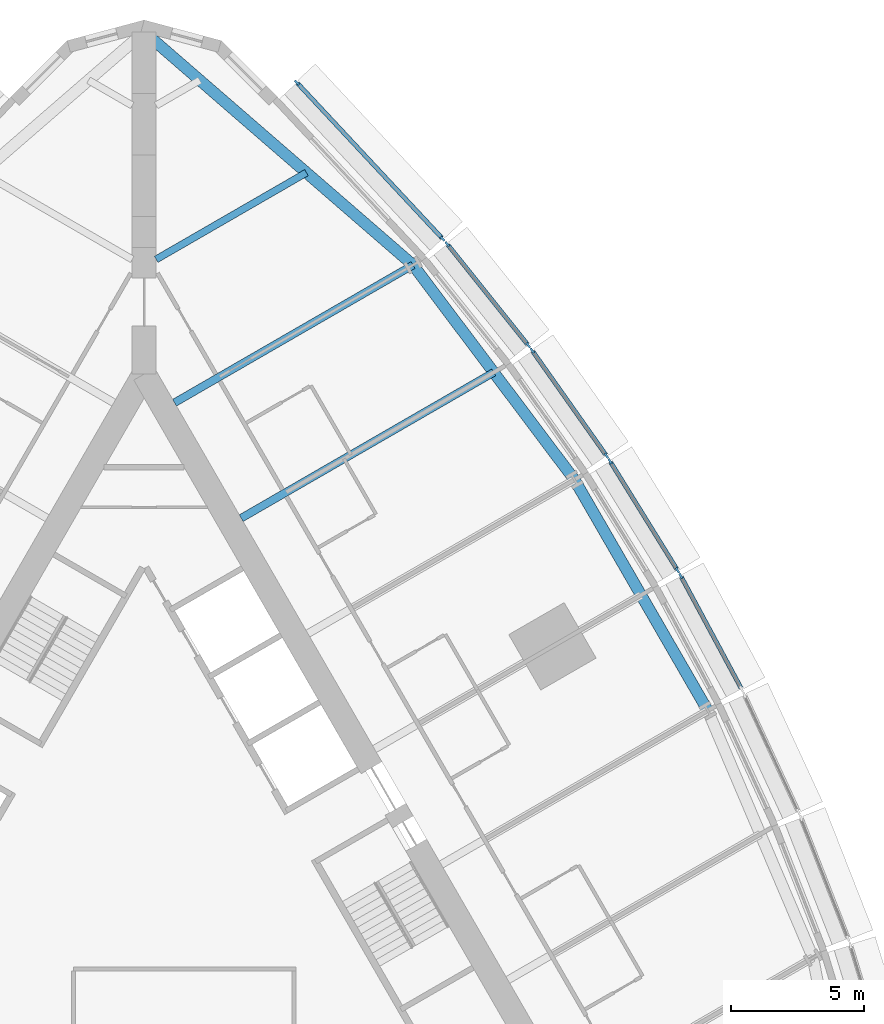
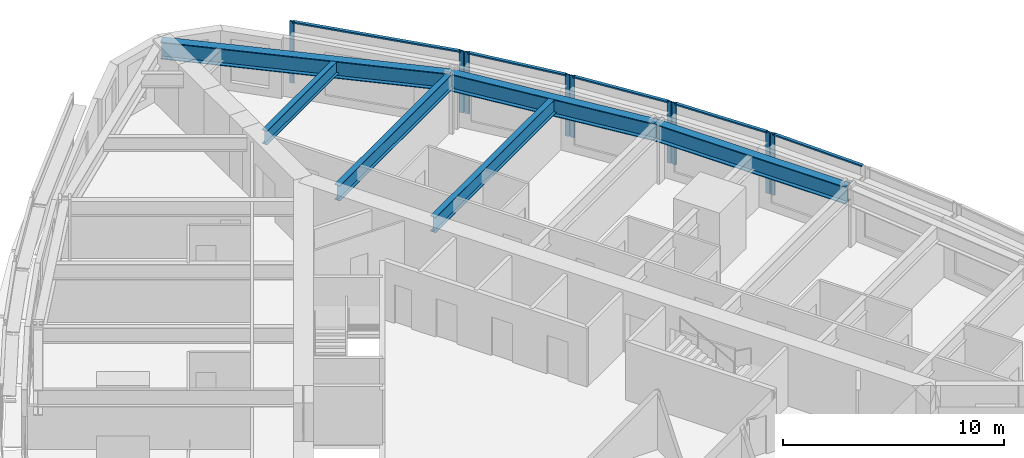
# One storey, part 5 of 14: 14 members, 6 beams, 5 elements without a shape of their own.
"""IFC4 building model written with IfcOpenShell, lengths in metres."""

import ifcopenshell
import ifcopenshell.guid

model = None  # the IFC model being written
_history = None  # IfcOwnerHistory: only IFC2X3 demands one
_inside = {}  # id of a spatial element -> (the spatial element, [elements in it])
_under = {}  # id of a project, library or spatial element -> (it, [spatial elements below it])
_declared = {}  # id of a project -> (the project, [libraries it declares])
_typed = {}  # id of a type object -> (the type object, [elements of that type])
_made_of = {}  # id of a material, layer set ... -> (it, [elements and type objects made of it])


def new_model(schema):
    """Start an empty IFC model of exactly this schema.

    Asked for "IFC4X3", IfcOpenShell would pick the latest addendum, in which some entities
    have other attributes; the version numbers below select the first issue.
    IFC2X3 requires an IfcOwnerHistory on every rooted entity: one is made here for all.
    """
    global model, _history
    if schema == "IFC4X3":
        model = ifcopenshell.file(schema_version=(4, 3, 0, 0))
    else:
        model = ifcopenshell.file(schema=schema)
    _inside.clear()
    _under.clear()
    _declared.clear()
    _typed.clear()
    _made_of.clear()
    _history = None
    if model.schema == "IFC2X3":
        org = make("IfcOrganization", Name="unknown")
        user = make(
            "IfcPersonAndOrganization",
            ThePerson=make("IfcPerson", FamilyName="unknown"),
            TheOrganization=org,
        )
        app = make(
            "IfcApplication",
            ApplicationDeveloper=org,
            Version="unknown",
            ApplicationFullName="unknown",
            ApplicationIdentifier="unknown",
        )
        _history = make(
            "IfcOwnerHistory",
            OwningUser=user,
            OwningApplication=app,
            ChangeAction="ADDED",
            CreationDate=0,
        )
    return model


def make(cls, **values):
    """One entity of the class cls with the attributes given. An attribute that is None is left unset."""
    return model.create_entity(
        cls, **{name: value for name, value in values.items() if value is not None}
    )


def rooted(cls, **values):
    """An entity with a GlobalId (a new one), such as an element, a storey or a relation."""
    return make(cls, GlobalId=ifcopenshell.guid.new(), OwnerHistory=_history, **values)


def si_unit(unit_type, name, prefix=None):
    """IfcSIUnit, for example si_unit("LENGTHUNIT", "METRE", prefix="MILLI")."""
    return make("IfcSIUnit", UnitType=unit_type, Prefix=prefix, Name=name)


def assignment(units):
    """IfcUnitAssignment: the units of a project."""
    return None if units is None else make("IfcUnitAssignment", Units=units)


def point(xyz):
    """IfcCartesianPoint."""
    return None if xyz is None else make("IfcCartesianPoint", Coordinates=xyz)


def direction(xyz):
    """IfcDirection."""
    return None if xyz is None else make("IfcDirection", DirectionRatios=xyz)


def frame(location, z_axis=None, x_axis=None):
    """IfcAxis2Placement3D, a coordinate frame: its origin and axes. An axis left out is left unset."""
    return make(
        "IfcAxis2Placement3D",
        Location=point(location),
        Axis=direction(z_axis),
        RefDirection=direction(x_axis),
    )


def frame_2d(location, x_axis=None):
    """IfcAxis2Placement2D, a coordinate frame in the plane: its origin and x axis."""
    return make(
        "IfcAxis2Placement2D", Location=point(location), RefDirection=direction(x_axis)
    )


def origin():
    """The frame at (0, 0, 0) with its axes left unset."""
    return frame((0.0, 0.0, 0.0))


def origin_2d():
    """The frame at (0, 0) in the plane with its x axis left unset."""
    return frame_2d((0.0, 0.0))


def place(relative_to, where):
    """IfcLocalPlacement: puts the frame where relative to a parent placement (None: the world)."""
    return make(
        "IfcLocalPlacement", PlacementRelTo=relative_to, RelativePlacement=where
    )


def context(
    kind, dimensions, precision=None, world=None, true_north=None, identifier=None
):
    """IfcGeometricRepresentationContext, for example the 3D "Model" context."""
    return make(
        "IfcGeometricRepresentationContext",
        ContextIdentifier=identifier,
        ContextType=kind,
        CoordinateSpaceDimension=dimensions,
        Precision=precision,
        WorldCoordinateSystem=world,
        TrueNorth=true_north,
    )


def subcontext(parent, identifier, kind, view, scale=None):
    """IfcGeometricRepresentationSubContext, for example "Body" below "Model"."""
    return make(
        "IfcGeometricRepresentationSubContext",
        ContextIdentifier=identifier,
        ContextType=kind,
        ParentContext=parent,
        TargetScale=scale,
        TargetView=view,
    )


def project(units=None, contexts=None):
    """IfcProject with its units and contexts."""
    return rooted(
        "IfcProject",
        Name="project",
        RepresentationContexts=contexts,
        UnitsInContext=assignment(units),
    )


def spatial(cls, under=None, at=None, **own):
    """A site, building, storey or space (cls), placed at a placement, below another one or the project."""
    s = rooted(cls, ObjectPlacement=at, **own)
    if under is not None:
        _under.setdefault(under.id(), (under, []))[1].append(s)
    return s


def profile(cls, at=None, kind="AREA", **sizes):
    """A parametric profile (cls). Its sizes go by their IFC names, for example OverallWidth=200.0."""
    return make(cls, ProfileType=kind, Position=at, **sizes)


def rectangle(**sizes):
    """IfcRectangleProfileDef."""
    return profile("IfcRectangleProfileDef", **sizes)


def i_section(**sizes):
    """IfcIShapeProfileDef."""
    return profile("IfcIShapeProfileDef", **sizes)


def extrude(swept, where, along, depth):
    """IfcExtrudedAreaSolid: the profile swept, set in the frame where, extruded along a direction by depth."""
    return make(
        "IfcExtrudedAreaSolid",
        SweptArea=swept,
        Position=where,
        ExtrudedDirection=direction(along),
        Depth=depth,
    )


def shape(context_of_items, identifier, shape_type, items):
    """IfcShapeRepresentation: the items that make up one representation, for example the "Body"."""
    return make(
        "IfcShapeRepresentation",
        ContextOfItems=context_of_items,
        RepresentationIdentifier=identifier,
        RepresentationType=shape_type,
        Items=items,
    )


def material(Name=None, Category=None):
    """IfcMaterial."""
    return make("IfcMaterial", Name=Name, Category=Category)


def material_profile(
    of_material, cross_section, Name=None, Category=None, Priority=None
):
    """IfcMaterialProfile: a cross section and its material."""
    return make(
        "IfcMaterialProfile",
        Name=Name,
        Material=of_material,
        Profile=cross_section,
        Priority=Priority,
        Category=Category,
    )


def profile_set(profiles, Name=None, composite=None):
    """IfcMaterialProfileSet."""
    return make(
        "IfcMaterialProfileSet",
        Name=Name,
        MaterialProfiles=profiles,
        CompositeProfile=composite,
    )


def made_of(thing, what):
    """Note that an element or type object is made of a material, layer set ...; save() writes the relation."""
    if what is not None:
        _made_of.setdefault(what.id(), (what, []))[1].append(thing)
    return thing


def type_object(cls, material=None, **own):
    """A type object (cls), such as IfcWallType, which elements share."""
    return made_of(rooted(cls, **own), material)


def element(
    cls,
    number,
    at=None,
    inside=None,
    cuts=None,
    type_object=None,
    material=None,
    context=None,
    identifier="Body",
    shape_type=None,
    held_by="IfcProductDefinitionShape",
    body=None,
    shapes=None,
    **own,
):
    """One element of the class cls, such as IfcWall. Its Tag is "e" and its number.

    at: its placement. inside: the storey or other place that contains it. cuts: it is an
    opening in that element (IfcRelVoidsElement). A single representation is given by context,
    identifier, shape_type and body (its items); several are given by shapes. held_by: the class
    of the entity that holds the representations. save() writes the other relations.
    """
    e = rooted(cls, Tag="e%d" % number, ObjectPlacement=at, **own)
    if body is not None:
        shapes = [shape(context, identifier, shape_type, body)]
    if shapes is not None:
        e.Representation = make(held_by, Representations=shapes)
    if inside is not None:
        _inside.setdefault(inside.id(), (inside, []))[1].append(e)
    if cuts is not None:
        rooted(
            "IfcRelVoidsElement", RelatingBuildingElement=cuts, RelatedOpeningElement=e
        )
    if type_object is not None:
        _typed.setdefault(type_object.id(), (type_object, []))[1].append(e)
    return made_of(e, material)


def aggregate(whole, parts):
    """IfcRelAggregates: a whole, such as a stair, and the parts it consists of."""
    return rooted("IfcRelAggregates", RelatingObject=whole, RelatedObjects=parts)


def save(model, path):
    """Write the relations noted so far, then the file.

    IfcRelAggregates (storeys below a building ...), IfcRelContainedInSpatialStructure (elements
    in a storey), IfcRelDefinesByType, IfcRelAssociatesMaterial and IfcRelDeclares: one each for
    every whole, place, type object, material and project.
    """
    for whole, parts in _under.values():
        aggregate(whole, parts)
    for where, things in _inside.values():
        rooted(
            "IfcRelContainedInSpatialStructure",
            RelatedElements=things,
            RelatingStructure=where,
        )
    for kind, things in _typed.values():
        rooted("IfcRelDefinesByType", RelatedObjects=things, RelatingType=kind)
    for what, things in _made_of.values():
        rooted("IfcRelAssociatesMaterial", RelatedObjects=things, RelatingMaterial=what)
    for by, libraries in _declared.values():
        rooted("IfcRelDeclares", RelatingContext=by, RelatedDefinitions=libraries)
    model.write(path)


model = new_model("IFC4")

# Units and contexts
model_context = context("Model", 3, precision=1e-05, world=origin(), true_north=direction((0.0, 1.0)))
body_context = subcontext(model_context, "Body", "Model", "MODEL_VIEW")
ifc_project = project(units=[si_unit("LENGTHUNIT", "METRE"), si_unit("AREAUNIT", "SQUARE_METRE"), si_unit("VOLUMEUNIT", "CUBIC_METRE"), si_unit("PLANEANGLEUNIT", "RADIAN"), si_unit("MASSUNIT", "GRAM", prefix="KILO")], contexts=[model_context])

# Site, building, storey
site_placement = place(None, origin())
site = spatial("IfcSite", under=ifc_project, at=site_placement, CompositionType="ELEMENT")
building_placement = place(site_placement, origin())
building = spatial("IfcBuilding", under=site, at=building_placement, Name="Trikona Tower", CompositionType="ELEMENT")
storey_placement = place(building_placement, frame((0.0, 0.0, 31.89990234375)))
storey = spatial("IfcBuildingStorey", under=building, at=storey_placement, Name="L06", CompositionType="ELEMENT", Elevation=31.89990234375)

# Curtain wall, member
ifc_material_1 = material(Name="Aluminium curtain wall system", Category="aluminium")
curtain_wall_type = type_object("IfcCurtainWallType", Name="Curtain wall DS1", PredefinedType="NOTDEFINED", material=ifc_material_1)
curtain_wall_1_placement = place(storey_placement, origin())
curtain_wall_1 = element("IfcCurtainWall", 1, at=curtain_wall_1_placement, inside=storey, type_object=curtain_wall_type, Name="Curtain wall DS1 L06", PredefinedType="NOTDEFINED")
ifc_material_2 = material(Name="Aluminium mullion, pale anodised", Category="aluminium")
ifc_material_profile_1 = material_profile(ifc_material_2, rectangle(XDim=0.080078125, YDim=0.219970703125, at=origin_2d()), Name="MUL-DS1")
ifc_profile_set_1 = profile_set([ifc_material_profile_1], Name="Aluminium mullion, pale anodised")
member_type_1 = type_object("IfcMemberType", Name="Mullion DS1 80x220", PredefinedType="MULLION", material=ifc_profile_set_1)
member_1_placement = place(storey_placement, frame((20.128662109375, 11.474365234375, 0.0), z_axis=(0.0, 0.0, 1.0), x_axis=(-0.880843080975, -0.473408350896, 0.0)))
member_1 = element("IfcMember", 2, at=member_1_placement, type_object=member_type_1, Name="CW-DS1 mullion 2", PredefinedType="MULLION", context=body_context, shape_type="SweptSolid", body=[
    extrude(rectangle(XDim=0.080078125, YDim=0.219970703125, at=origin_2d()), origin(), (0.0, 0.0, 1.0), 3.400146484375),
])

# Curtain wall, members
curtain_wall_2_placement = place(storey_placement, origin())
curtain_wall_2 = element("IfcCurtainWall", 3, at=curtain_wall_2_placement, inside=storey, type_object=curtain_wall_type, Name="Curtain wall DS1 L06", PredefinedType="NOTDEFINED")
member_2_placement = place(storey_placement, frame((20.00146484375, 11.69482421875, 0.0), z_axis=(0.0, 0.0, 1.0), x_axis=(-0.850410468941, -0.526119790842, 0.0)))
member_2 = element("IfcMember", 4, at=member_2_placement, type_object=member_type_1, Name="CW-DS1 mullion 1", PredefinedType="MULLION", context=body_context, shape_type="SweptSolid", body=[
    extrude(rectangle(XDim=0.080078125, YDim=0.219970703125, at=origin_2d()), origin(), (0.0, 0.0, 1.0), 3.400146484375),
])
member_3_placement = place(storey_placement, frame((17.474853515625, 15.77880859375, 0.0), z_axis=(0.0, 0.0, 1.0), x_axis=(-0.850410468941, -0.526119790842, 0.0)))
member_3 = element("IfcMember", 5, at=member_3_placement, type_object=member_type_1, Name="CW-DS1 mullion 2", PredefinedType="MULLION", context=body_context, shape_type="SweptSolid", body=[
    extrude(rectangle(XDim=0.080078125, YDim=0.219970703125, at=origin_2d()), origin(), (0.0, 0.0, 1.0), 3.400146484375),
])

curtain_wall_3_placement = place(storey_placement, origin())
curtain_wall_3 = element("IfcCurtainWall", 6, at=curtain_wall_3_placement, inside=storey, type_object=curtain_wall_type, Name="Curtain wall DS1 L06", PredefinedType="NOTDEFINED")
member_4_placement = place(storey_placement, frame((17.33447265625, 15.990966796875, 0.0), z_axis=(0.0, 0.0, 1.0), x_axis=(-0.816985393055, -0.576658362928, 0.0)))
member_4 = element("IfcMember", 7, at=member_4_placement, type_object=member_type_1, Name="CW-DS1 mullion 1", PredefinedType="MULLION", context=body_context, shape_type="SweptSolid", body=[
    extrude(rectangle(XDim=0.080078125, YDim=0.219970703125, at=origin_2d()), origin(), (0.0, 0.0, 1.0), 3.400146484375),
])
member_5_placement = place(storey_placement, frame((14.554443359375, 19.929443359375, 0.0), z_axis=(0.0, 0.0, 1.0), x_axis=(-0.816985393055, -0.576658362928, 0.0)))
member_5 = element("IfcMember", 8, at=member_5_placement, type_object=member_type_1, Name="CW-DS1 mullion 2", PredefinedType="MULLION", context=body_context, shape_type="SweptSolid", body=[
    extrude(rectangle(XDim=0.080078125, YDim=0.219970703125, at=origin_2d()), origin(), (0.0, 0.0, 1.0), 3.400146484375),
])

curtain_wall_4_placement = place(storey_placement, origin())
curtain_wall_4 = element("IfcCurtainWall", 9, at=curtain_wall_4_placement, inside=storey, type_object=curtain_wall_type, Name="Curtain wall DS1 L06", PredefinedType="NOTDEFINED")
member_6_placement = place(storey_placement, frame((14.40185546875, 20.13232421875, 0.0), z_axis=(0.0, 0.0, 1.0), x_axis=(-0.780937959679, -0.624608599951, 0.0)))
member_6 = element("IfcMember", 10, at=member_6_placement, type_object=member_type_1, Name="CW-DS1 mullion 1", PredefinedType="MULLION", context=body_context, shape_type="SweptSolid", body=[
    extrude(rectangle(XDim=0.080078125, YDim=0.219970703125, at=origin_2d()), origin(), (0.0, 0.0, 1.0), 3.400146484375),
])
member_7_placement = place(storey_placement, frame((11.36767578125, 23.926025390625, 0.0), z_axis=(0.0, 0.0, 1.0), x_axis=(-0.780937959679, -0.624608599951, 0.0)))
member_7 = element("IfcMember", 11, at=member_7_placement, type_object=member_type_1, Name="CW-DS1 mullion 2", PredefinedType="MULLION", context=body_context, shape_type="SweptSolid", body=[
    extrude(rectangle(XDim=0.080078125, YDim=0.219970703125, at=origin_2d()), origin(), (0.0, 0.0, 1.0), 3.400146484375),
])

curtain_wall_5_placement = place(storey_placement, origin())
curtain_wall_5 = element("IfcCurtainWall", 12, at=curtain_wall_5_placement, inside=storey, type_object=curtain_wall_type, Name="Curtain wall DS1 L06", PredefinedType="NOTDEFINED")
member_8_placement = place(storey_placement, frame((11.192138671875, 24.129150390625, 0.0), z_axis=(0.0, 0.0, 1.0), x_axis=(-0.731076639405, -0.682295351967, 0.0)))
member_8 = element("IfcMember", 13, at=member_8_placement, type_object=member_type_1, Name="CW-DS1 mullion 1", PredefinedType="MULLION", context=body_context, shape_type="SweptSolid", body=[
    extrude(rectangle(XDim=0.080078125, YDim=0.219970703125, at=origin_2d()), origin(), (0.0, 0.0, 1.0), 3.400146484375),
])
member_9_placement = place(storey_placement, frame((5.72607421875, 29.98583984375, 0.0), z_axis=(0.0, 0.0, 1.0), x_axis=(-0.731076639405, -0.682295351967, 0.0)))
member_9 = element("IfcMember", 14, at=member_9_placement, type_object=member_type_1, Name="CW-DS1 mullion 2", PredefinedType="MULLION", context=body_context, shape_type="SweptSolid", body=[
    extrude(rectangle(XDim=0.080078125, YDim=0.219970703125, at=origin_2d()), origin(), (0.0, 0.0, 1.0), 3.400146484375),
])

# Beams
ifc_material_3 = material(Name="Steel ASTM A992 Grade 50", Category="steel")
ifc_material_profile_2 = material_profile(ifc_material_3, i_section(OverallWidth=0.2666015625, OverallDepth=0.76953125, WebThickness=0.015625, FlangeThickness=0.025390625, at=origin_2d()), Name="W30X132")
ifc_profile_set_2 = profile_set([ifc_material_profile_2], Name="Steel ASTM A992 Grade 50")
beam_type_1 = type_object("IfcBeamType", Name="Steel beam W30x132 (wedge)", PredefinedType="BEAM", material=ifc_profile_set_2)
beam_1_placement = place(storey_placement, frame((0.449951171875, 23.353759765625, 2.850341796875), z_axis=(0.866022504693, 0.50000502134, 0.0), x_axis=(-0.50000502134, 0.866022504693, 0.0)))
element("IfcBeam", 15, at=beam_1_placement, inside=storey, type_object=beam_type_1, Name="Floor beam L07 F2 u20", PredefinedType="BEAM", context=body_context, shape_type="SweptSolid", body=[
    extrude(i_section(OverallWidth=0.2666015625, OverallDepth=0.76953125, WebThickness=0.015625, FlangeThickness=0.025390625, at=origin_2d()), origin(), (0.0, 0.0, 1.0), 6.5068359375),
])
ifc_material_4 = material(Name="Steel ASTM A992 Grade 50", Category="steel")
ifc_material_profile_3 = material_profile(ifc_material_4, i_section(OverallWidth=0.2919921875, OverallDepth=0.845703125, WebThickness=0.015380859375, FlangeThickness=0.0244140625, at=origin_2d()), Name="W33X141")
ifc_profile_set_3 = profile_set([ifc_material_profile_3], Name="Steel ASTM A992 Grade 50")
beam_type_2 = type_object("IfcBeamType", Name="Steel beam W33x141 (radial typ)", PredefinedType="BEAM", material=ifc_profile_set_3)
beam_2_placement = place(storey_placement, frame((3.6396484375, 13.6484375, 2.812255859375), z_axis=(0.866025348605, 0.500000095573, 0.0), x_axis=(-0.500000095573, 0.866025348605, 0.0)))
element("IfcBeam", 16, at=beam_2_placement, inside=storey, type_object=beam_type_2, Name="Floor beam L07 F2 u10", PredefinedType="BEAM", context=body_context, shape_type="SweptSolid", body=[
    extrude(i_section(OverallWidth=0.2919921875, OverallDepth=0.845703125, WebThickness=0.015380859375, FlangeThickness=0.0244140625, at=origin_2d()), origin(), (0.0, 0.0, 1.0), 10.935546875),
])
beam_3_placement = place(storey_placement, frame((1.1396484375, 17.978515625, 2.812255859375), z_axis=(0.866030471684, 0.499991222037, 0.0), x_axis=(-0.499991222037, 0.866030471684, 0.0)))
element("IfcBeam", 17, at=beam_3_placement, inside=storey, type_object=beam_type_2, Name="Floor beam L07 F2 u15", PredefinedType="BEAM", context=body_context, shape_type="SweptSolid", body=[
    extrude(i_section(OverallWidth=0.2919921875, OverallDepth=0.845703125, WebThickness=0.015380859375, FlangeThickness=0.0244140625, at=origin_2d()), origin(), (0.0, 0.0, 1.0), 10.326904296875),
])
ifc_material_5 = material(Name="Steel ASTM A992 Grade 50", Category="steel")
ifc_material_profile_4 = material_profile(ifc_material_5, i_section(OverallWidth=0.424072265625, OverallDepth=0.947509765625, WebThickness=0.02392578125, FlangeThickness=0.042724609375, at=origin_2d()), Name="W36X302")
ifc_profile_set_4 = profile_set([ifc_material_profile_4], Name="Steel ASTM A992 Grade 50")
beam_type_3 = type_object("IfcBeamType", Name="Steel beam W36x302 (spandrel)", PredefinedType="SPANDREL", material=ifc_profile_set_4)
beam_4_placement = place(storey_placement, frame((21.13720703125, 6.43017578125, 2.761474609375), z_axis=(-0.500004234368, 0.866022959057, 0.0), x_axis=(-0.866022959057, -0.500004234368, 0.0)))
element("IfcBeam", 18, at=beam_4_placement, inside=storey, type_object=beam_type_3, Name="Spandrel beam L07 F2-3", PredefinedType="SPANDREL", context=body_context, shape_type="SweptSolid", body=[
    extrude(i_section(OverallWidth=0.424072265625, OverallDepth=0.947509765625, WebThickness=0.02392578125, FlangeThickness=0.042724609375, at=origin_2d()), origin(), (0.0, 0.0, 1.0), 10.0),
])
beam_5_placement = place(storey_placement, frame((16.13720703125, 15.09033203125, 2.761474609375), z_axis=(-0.600988344191, 0.799257787042, 0.0), x_axis=(-0.799257787042, -0.600988344191, 0.0)))
element("IfcBeam", 19, at=beam_5_placement, inside=storey, type_object=beam_type_3, Name="Spandrel beam L07 F2-4", PredefinedType="SPANDREL", context=body_context, shape_type="SweptSolid", body=[
    extrude(i_section(OverallWidth=0.424072265625, OverallDepth=0.947509765625, WebThickness=0.02392578125, FlangeThickness=0.042724609375, at=origin_2d()), origin(), (0.0, 0.0, 1.0), 10.07373046875),
])
beam_6_placement = place(storey_placement, frame((10.0830078125, 23.141845703125, 2.761474609375), z_axis=(-0.755646822726, 0.654979296851, 0.0), x_axis=(-0.654979296851, -0.755646822726, 0.0)))
element("IfcBeam", 20, at=beam_6_placement, inside=storey, type_object=beam_type_3, Name="Spandrel beam L07 F2-5", PredefinedType="SPANDREL", context=body_context, shape_type="SweptSolid", body=[
    extrude(i_section(OverallWidth=0.424072265625, OverallDepth=0.947509765625, WebThickness=0.02392578125, FlangeThickness=0.042724609375, at=origin_2d()), origin(), (0.0, 0.0, 1.0), 13.343505859375),
])

# Member
ifc_material_6 = material(Name="Aluminium transom, pale anodised", Category="aluminium")
ifc_material_profile_5 = material_profile(ifc_material_6, rectangle(XDim=0.159912109375, YDim=0.080078125, at=origin_2d()), Name="TRN-DS1")
ifc_profile_set_5 = profile_set([ifc_material_profile_5], Name="Aluminium transom, pale anodised")
member_type_2 = type_object("IfcMemberType", Name="Transom DS1 80x160", PredefinedType="USERDEFINED", material=ifc_profile_set_5)
member_10_placement = place(storey_placement, frame((22.38330078125, 7.279541015625, 3.360107421875), z_axis=(-0.473427569755, 0.880832751546, 0.0), x_axis=(-0.880832751546, -0.473427569755, 0.0)))
member_10 = element("IfcMember", 21, at=member_10_placement, type_object=member_type_2, Name="CW-DS1 transom 1.1", ObjectType="TRANSOM", PredefinedType="USERDEFINED", context=body_context, shape_type="SweptSolid", body=[
    extrude(rectangle(XDim=0.159912109375, YDim=0.080078125, at=origin_2d()), origin(), (0.0, 0.0, 1.0), 4.72216796875),
])

aggregate(curtain_wall_1, [member_1, member_10])

member_11_placement = place(storey_placement, frame((19.980224609375, 11.728759765625, 3.360107421875), z_axis=(-0.526080502257, 0.850434774186, 0.0), x_axis=(-0.850434774186, -0.526080502257, 0.0)))
member_11 = element("IfcMember", 22, at=member_11_placement, type_object=member_type_2, Name="CW-DS1 transom 1.1", ObjectType="TRANSOM", PredefinedType="USERDEFINED", context=body_context, shape_type="SweptSolid", body=[
    extrude(rectangle(XDim=0.159912109375, YDim=0.080078125, at=origin_2d()), origin(), (0.0, 0.0, 1.0), 4.722412109375),
])

aggregate(curtain_wall_2, [member_2, member_3, member_11])

member_12_placement = place(storey_placement, frame((17.311279296875, 16.023681640625, 3.360107421875), z_axis=(-0.57664478015, 0.816994980111, 0.0), x_axis=(-0.816994980111, -0.57664478015, 0.0)))
member_12 = element("IfcMember", 23, at=member_12_placement, type_object=member_type_2, Name="CW-DS1 transom 1.1", ObjectType="TRANSOM", PredefinedType="USERDEFINED", context=body_context, shape_type="SweptSolid", body=[
    extrude(rectangle(XDim=0.159912109375, YDim=0.080078125, at=origin_2d()), origin(), (0.0, 0.0, 1.0), 4.740478515625),
])

aggregate(curtain_wall_3, [member_4, member_5, member_12])

member_13_placement = place(storey_placement, frame((14.376953125, 20.16357421875, 3.360107421875), z_axis=(-0.624589103832, 0.780953552636, 0.0), x_axis=(-0.780953552636, -0.624589103832, 0.0)))
member_13 = element("IfcMember", 24, at=member_13_placement, type_object=member_type_2, Name="CW-DS1 transom 1.1", ObjectType="TRANSOM", PredefinedType="USERDEFINED", context=body_context, shape_type="SweptSolid", body=[
    extrude(rectangle(XDim=0.159912109375, YDim=0.080078125, at=origin_2d()), origin(), (0.0, 0.0, 1.0), 4.77783203125),
])

aggregate(curtain_wall_4, [member_6, member_7, member_13])

member_14_placement = place(storey_placement, frame((11.164794921875, 24.158203125, 3.360107421875), z_axis=(-0.682290830921, 0.731080858758, 0.0), x_axis=(-0.731080858758, -0.682290830921, 0.0)))
member_14 = element("IfcMember", 25, at=member_14_placement, type_object=member_type_2, Name="CW-DS1 transom 1.1", ObjectType="TRANSOM", PredefinedType="USERDEFINED", context=body_context, shape_type="SweptSolid", body=[
    extrude(rectangle(XDim=0.159912109375, YDim=0.080078125, at=origin_2d()), origin(), (0.0, 0.0, 1.0), 7.93115234375),
])

aggregate(curtain_wall_5, [member_8, member_9, member_14])

save(model, "model.ifc")
